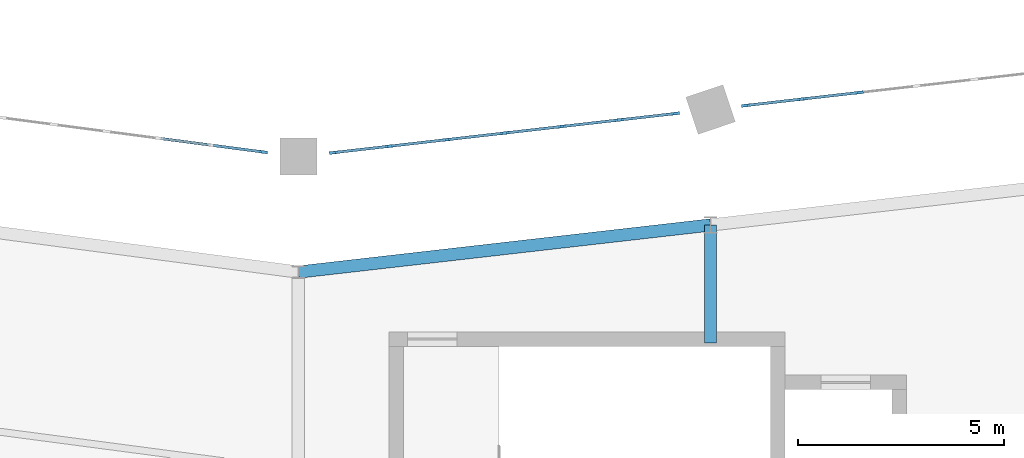
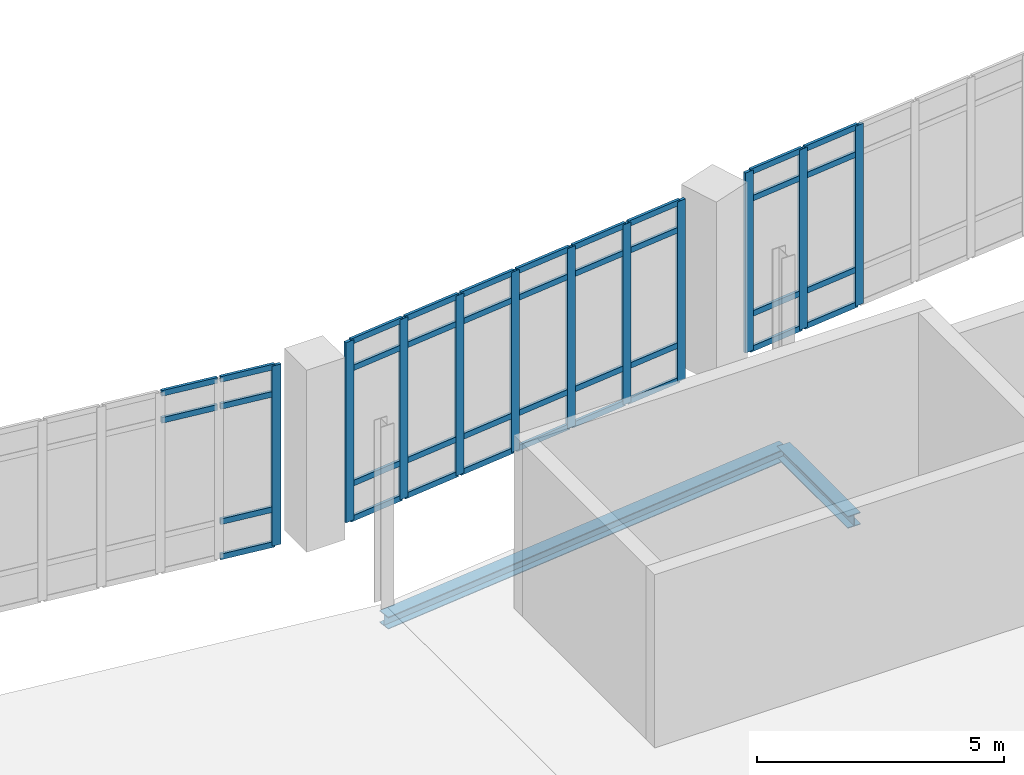
# One storey, part 20 of 67: 49 members, 2 beams, 3 elements without a shape of their own.
"""IFC4 building model written with IfcOpenShell, lengths in metres."""

from ifc_helpers import new_model, si_unit, direction, frame, origin, origin_2d, place, context, subcontext, project, spatial, rectangle, i_section, extrude, material, layer, layer_set, material_profile, profile_set, type_object, element, aggregate, save


model = new_model("IFC4")

# Units and contexts
model_context = context("Model", 3, precision=1e-05, world=origin(), true_north=direction((0.0, 1.0)))
body_context = subcontext(model_context, "Body", "Model", "MODEL_VIEW")
ifc_project = project(units=[si_unit("LENGTHUNIT", "METRE"), si_unit("AREAUNIT", "SQUARE_METRE"), si_unit("VOLUMEUNIT", "CUBIC_METRE"), si_unit("PLANEANGLEUNIT", "RADIAN"), si_unit("MASSUNIT", "GRAM", prefix="KILO")], contexts=[model_context])

# Site, building, storey
site_placement = place(None, origin())
site = spatial("IfcSite", under=ifc_project, at=site_placement, CompositionType="ELEMENT")
building_placement = place(site_placement, origin())
building = spatial("IfcBuilding", under=site, at=building_placement, Name="Sohan Crest Arena", CompositionType="ELEMENT")
storey_placement = place(building_placement, frame((0.0, 0.0, 22.5)))
storey = spatial("IfcBuildingStorey", under=building, at=storey_placement, Name="L05", CompositionType="ELEMENT", Elevation=22.5)

# Curtain wall, member
ifc_material_1 = material(Name="Thermally broken anodised aluminium", Category="aluminium")
ifc_layer = layer(ifc_material_1, 0.18994140625, Name="Thermally broken anodised aluminium")
ifc_layer_set = layer_set([ifc_layer], Name="Thermally broken anodised aluminium")
curtain_wall_type = type_object("IfcCurtainWallType", Name="ARC-CW05", PredefinedType="NOTDEFINED", material=ifc_layer_set)
curtain_wall_1_placement = place(storey_placement, origin())
curtain_wall_1 = element("IfcCurtainWall", 1, at=curtain_wall_1_placement, inside=storey, type_object=curtain_wall_type, Name="Unitised curtain wall CW-186", PredefinedType="NOTDEFINED")
ifc_material_profile_1 = material_profile(ifc_material_1, rectangle(XDim=0.070068359375, YDim=0.199951171875, at=origin_2d()), Name="ALU-MULL 70x200")
ifc_profile_set_1 = profile_set([ifc_material_profile_1], Name="Thermally broken anodised aluminium")
member_type_1 = type_object("IfcMemberType", Name="ARC-CW-ML03", PredefinedType="MULLION", material=ifc_profile_set_1)
member_1_placement = place(storey_placement, frame((97.15234375, 47.111572265625, 0.0), z_axis=(0.0, 0.0, 1.0), x_axis=(0.130498613419, 0.991448491802, 0.0)))
member_1 = element("IfcMember", 2, at=member_1_placement, type_object=member_type_1, Name="CW-186 mullion 6", PredefinedType="MULLION", context=body_context, shape_type="SweptSolid", body=[
    extrude(rectangle(XDim=0.070068359375, YDim=0.199951171875, at=origin_2d()), origin(), (0.0, 0.0, 1.0), 4.449951171875),
])

# Curtain wall, members
curtain_wall_2_placement = place(storey_placement, origin())
curtain_wall_2 = element("IfcCurtainWall", 3, at=curtain_wall_2_placement, inside=storey, type_object=curtain_wall_type, Name="Unitised curtain wall CW-188", PredefinedType="NOTDEFINED")
member_2_placement = place(storey_placement, frame((98.849853515625, 47.096923828125, 0.0), z_axis=(0.0, 0.0, 1.0), x_axis=(-0.11359680696, 0.993526932422, 0.0)))
member_2 = element("IfcMember", 4, at=member_2_placement, type_object=member_type_1, Name="CW-188 mullion 1", PredefinedType="MULLION", context=body_context, shape_type="SweptSolid", body=[
    extrude(rectangle(XDim=0.070068359375, YDim=0.199951171875, at=origin_2d()), origin(), (0.0, 0.0, 1.0), 4.449951171875),
])
member_3_placement = place(storey_placement, frame((100.2099609375, 47.25244140625, 0.0), z_axis=(0.0, 0.0, 1.0), x_axis=(-0.11359680696, 0.993526932422, 0.0)))
member_3 = element("IfcMember", 5, at=member_3_placement, type_object=member_type_1, Name="CW-188 mullion 2", PredefinedType="MULLION", context=body_context, shape_type="SweptSolid", body=[
    extrude(rectangle(XDim=0.070068359375, YDim=0.199951171875, at=origin_2d()), origin(), (0.0, 0.0, 1.0), 4.449951171875),
])
member_4_placement = place(storey_placement, frame((101.60498046875, 47.412109375, 0.0), z_axis=(0.0, 0.0, 1.0), x_axis=(-0.11359680696, 0.993526932422, 0.0)))
member_4 = element("IfcMember", 6, at=member_4_placement, type_object=member_type_1, Name="CW-188 mullion 3", PredefinedType="MULLION", context=body_context, shape_type="SweptSolid", body=[
    extrude(rectangle(XDim=0.070068359375, YDim=0.199951171875, at=origin_2d()), origin(), (0.0, 0.0, 1.0), 4.449951171875),
])
member_5_placement = place(storey_placement, frame((103.0, 47.571533203125, 0.0), z_axis=(0.0, 0.0, 1.0), x_axis=(-0.11359680696, 0.993526932422, 0.0)))
member_5 = element("IfcMember", 7, at=member_5_placement, type_object=member_type_1, Name="CW-188 mullion 4", PredefinedType="MULLION", context=body_context, shape_type="SweptSolid", body=[
    extrude(rectangle(XDim=0.070068359375, YDim=0.199951171875, at=origin_2d()), origin(), (0.0, 0.0, 1.0), 4.449951171875),
])
member_6_placement = place(storey_placement, frame((104.39501953125, 47.73095703125, 0.0), z_axis=(0.0, 0.0, 1.0), x_axis=(-0.11359680696, 0.993526932422, 0.0)))
member_6 = element("IfcMember", 8, at=member_6_placement, type_object=member_type_1, Name="CW-188 mullion 5", PredefinedType="MULLION", context=body_context, shape_type="SweptSolid", body=[
    extrude(rectangle(XDim=0.070068359375, YDim=0.199951171875, at=origin_2d()), origin(), (0.0, 0.0, 1.0), 4.449951171875),
])
member_7_placement = place(storey_placement, frame((105.7900390625, 47.890380859375, 0.0), z_axis=(0.0, 0.0, 1.0), x_axis=(-0.11359680696, 0.993526932422, 0.0)))
member_7 = element("IfcMember", 9, at=member_7_placement, type_object=member_type_1, Name="CW-188 mullion 6", PredefinedType="MULLION", context=body_context, shape_type="SweptSolid", body=[
    extrude(rectangle(XDim=0.070068359375, YDim=0.199951171875, at=origin_2d()), origin(), (0.0, 0.0, 1.0), 4.449951171875),
])
member_8_placement = place(storey_placement, frame((107.150146484375, 48.046142578125, 0.0), z_axis=(0.0, 0.0, 1.0), x_axis=(-0.11359680696, 0.993526932422, 0.0)))
member_8 = element("IfcMember", 10, at=member_8_placement, type_object=member_type_1, Name="CW-188 mullion 7", PredefinedType="MULLION", context=body_context, shape_type="SweptSolid", body=[
    extrude(rectangle(XDim=0.070068359375, YDim=0.199951171875, at=origin_2d()), origin(), (0.0, 0.0, 1.0), 4.449951171875),
])

curtain_wall_3_placement = place(storey_placement, origin())
curtain_wall_3 = element("IfcCurtainWall", 11, at=curtain_wall_3_placement, inside=storey, type_object=curtain_wall_type, Name="Unitised curtain wall CW-190", PredefinedType="NOTDEFINED")
member_9_placement = place(storey_placement, frame((108.849853515625, 48.239990234375, 0.0), z_axis=(0.0, 0.0, 1.0), x_axis=(-0.11359680696, 0.993526932422, 0.0)))
member_9 = element("IfcMember", 12, at=member_9_placement, type_object=member_type_1, Name="CW-190 mullion 1", PredefinedType="MULLION", context=body_context, shape_type="SweptSolid", body=[
    extrude(rectangle(XDim=0.070068359375, YDim=0.199951171875, at=origin_2d()), origin(), (0.0, 0.0, 1.0), 4.449951171875),
])
member_10_placement = place(storey_placement, frame((110.2099609375, 48.3955078125, 0.0), z_axis=(0.0, 0.0, 1.0), x_axis=(-0.11359680696, 0.993526932422, 0.0)))
member_10 = element("IfcMember", 13, at=member_10_placement, type_object=member_type_1, Name="CW-190 mullion 2", PredefinedType="MULLION", context=body_context, shape_type="SweptSolid", body=[
    extrude(rectangle(XDim=0.070068359375, YDim=0.199951171875, at=origin_2d()), origin(), (0.0, 0.0, 1.0), 4.449951171875),
])
member_11_placement = place(storey_placement, frame((111.60498046875, 48.554931640625, 0.0), z_axis=(0.0, 0.0, 1.0), x_axis=(-0.11359680696, 0.993526932422, 0.0)))
member_11 = element("IfcMember", 14, at=member_11_placement, type_object=member_type_1, Name="CW-190 mullion 3", PredefinedType="MULLION", context=body_context, shape_type="SweptSolid", body=[
    extrude(rectangle(XDim=0.070068359375, YDim=0.199951171875, at=origin_2d()), origin(), (0.0, 0.0, 1.0), 4.449951171875),
])

# Member
ifc_material_profile_2 = material_profile(ifc_material_1, rectangle(XDim=0.06494140625, YDim=0.139892578125, at=origin_2d()), Name="ALU-TRAN 65x140")
ifc_profile_set_2 = profile_set([ifc_material_profile_2], Name="Thermally broken anodised aluminium")
member_type_2 = type_object("IfcMemberType", Name="ARC-CW-TR02", PredefinedType="USERDEFINED", material=ifc_profile_set_2)
member_12_placement = place(storey_placement, frame((94.662841796875, 47.439208984375, 3.75), z_axis=(0.991457018973, -0.130433812827, 0.0), x_axis=(0.130433812827, 0.991457018973, 0.0)))
member_12 = element("IfcMember", 15, at=member_12_placement, type_object=member_type_2, Name="CW-186 transom 4.3", ObjectType="TRANSOM", PredefinedType="USERDEFINED", context=body_context, shape_type="SweptSolid", body=[
    extrude(rectangle(XDim=0.06494140625, YDim=0.139892578125, at=origin_2d()), origin(), (0.0, 0.0, 1.0), 1.220458984375),
])

member_13_placement = place(storey_placement, frame((94.662841796875, 47.439208984375, 4.41748046875), z_axis=(0.991457018973, -0.130433812827, 0.0), x_axis=(0.130433812827, 0.991457018973, 0.0)))
member_13 = element("IfcMember", 16, at=member_13_placement, type_object=member_type_2, Name="CW-186 transom 4.4", ObjectType="TRANSOM", PredefinedType="USERDEFINED", context=body_context, shape_type="SweptSolid", body=[
    extrude(rectangle(XDim=0.06494140625, YDim=0.139892578125, at=origin_2d()), origin(), (0.0, 0.0, 1.0), 1.220458984375),
])

member_14_placement = place(storey_placement, frame((95.9423828125, 47.270751953125, 0.032470703125), z_axis=(0.991465507922, -0.130369270153, 0.0), x_axis=(0.130369270153, 0.991465507922, 0.0)))
member_14 = element("IfcMember", 17, at=member_14_placement, type_object=member_type_2, Name="CW-186 transom 5.1", ObjectType="TRANSOM", PredefinedType="USERDEFINED", context=body_context, shape_type="SweptSolid", body=[
    extrude(rectangle(XDim=0.06494140625, YDim=0.139892578125, at=origin_2d()), origin(), (0.0, 0.0, 1.0), 1.185302734375),
])

member_15_placement = place(storey_placement, frame((95.9423828125, 47.270751953125, 0.89990234375), z_axis=(0.991465507922, -0.130369270153, 0.0), x_axis=(0.130369270153, 0.991465507922, 0.0)))
member_15 = element("IfcMember", 18, at=member_15_placement, type_object=member_type_2, Name="CW-186 transom 5.2", ObjectType="TRANSOM", PredefinedType="USERDEFINED", context=body_context, shape_type="SweptSolid", body=[
    extrude(rectangle(XDim=0.06494140625, YDim=0.139892578125, at=origin_2d()), origin(), (0.0, 0.0, 1.0), 1.185302734375),
])

member_16_placement = place(storey_placement, frame((95.9423828125, 47.270751953125, 3.75), z_axis=(0.991465507922, -0.130369270153, 0.0), x_axis=(0.130369270153, 0.991465507922, 0.0)))
member_16 = element("IfcMember", 19, at=member_16_placement, type_object=member_type_2, Name="CW-186 transom 5.3", ObjectType="TRANSOM", PredefinedType="USERDEFINED", context=body_context, shape_type="SweptSolid", body=[
    extrude(rectangle(XDim=0.06494140625, YDim=0.139892578125, at=origin_2d()), origin(), (0.0, 0.0, 1.0), 1.185302734375),
])

member_17_placement = place(storey_placement, frame((95.9423828125, 47.270751953125, 4.41748046875), z_axis=(0.991465507922, -0.130369270153, 0.0), x_axis=(0.130369270153, 0.991465507922, 0.0)))
member_17 = element("IfcMember", 20, at=member_17_placement, type_object=member_type_2, Name="CW-186 transom 5.4", ObjectType="TRANSOM", PredefinedType="USERDEFINED", context=body_context, shape_type="SweptSolid", body=[
    extrude(rectangle(XDim=0.06494140625, YDim=0.139892578125, at=origin_2d()), origin(), (0.0, 0.0, 1.0), 1.185302734375),
])

aggregate(curtain_wall_1, [member_1, member_12, member_13, member_14, member_15, member_16, member_17])

member_18_placement = place(storey_placement, frame((98.884521484375, 47.100830078125, 0.032470703125), z_axis=(0.99351630859, 0.113689685398, 0.0), x_axis=(-0.113689685398, 0.99351630859, 0.0)))
member_18 = element("IfcMember", 21, at=member_18_placement, type_object=member_type_2, Name="CW-188 transom 1.1", ObjectType="TRANSOM", PredefinedType="USERDEFINED", context=body_context, shape_type="SweptSolid", body=[
    extrude(rectangle(XDim=0.06494140625, YDim=0.139892578125, at=origin_2d()), origin(), (0.0, 0.0, 1.0), 1.29931640625),
])

member_19_placement = place(storey_placement, frame((98.884521484375, 47.100830078125, 0.89990234375), z_axis=(0.99351630859, 0.113689685398, 0.0), x_axis=(-0.113689685398, 0.99351630859, 0.0)))
member_19 = element("IfcMember", 22, at=member_19_placement, type_object=member_type_2, Name="CW-188 transom 1.2", ObjectType="TRANSOM", PredefinedType="USERDEFINED", context=body_context, shape_type="SweptSolid", body=[
    extrude(rectangle(XDim=0.06494140625, YDim=0.139892578125, at=origin_2d()), origin(), (0.0, 0.0, 1.0), 1.29931640625),
])

member_20_placement = place(storey_placement, frame((98.884521484375, 47.100830078125, 3.75), z_axis=(0.99351630859, 0.113689685398, 0.0), x_axis=(-0.113689685398, 0.99351630859, 0.0)))
member_20 = element("IfcMember", 23, at=member_20_placement, type_object=member_type_2, Name="CW-188 transom 1.3", ObjectType="TRANSOM", PredefinedType="USERDEFINED", context=body_context, shape_type="SweptSolid", body=[
    extrude(rectangle(XDim=0.06494140625, YDim=0.139892578125, at=origin_2d()), origin(), (0.0, 0.0, 1.0), 1.29931640625),
])

member_21_placement = place(storey_placement, frame((98.884521484375, 47.100830078125, 4.41748046875), z_axis=(0.99351630859, 0.113689685398, 0.0), x_axis=(-0.113689685398, 0.99351630859, 0.0)))
member_21 = element("IfcMember", 24, at=member_21_placement, type_object=member_type_2, Name="CW-188 transom 1.4", ObjectType="TRANSOM", PredefinedType="USERDEFINED", context=body_context, shape_type="SweptSolid", body=[
    extrude(rectangle(XDim=0.06494140625, YDim=0.139892578125, at=origin_2d()), origin(), (0.0, 0.0, 1.0), 1.29931640625),
])

member_22_placement = place(storey_placement, frame((100.244873046875, 47.256591796875, 0.032470703125), z_axis=(0.993542107108, 0.113464009285, 0.0), x_axis=(-0.113464009285, 0.993542107108, 0.0)))
member_22 = element("IfcMember", 25, at=member_22_placement, type_object=member_type_2, Name="CW-188 transom 2.1", ObjectType="TRANSOM", PredefinedType="USERDEFINED", context=body_context, shape_type="SweptSolid", body=[
    extrude(rectangle(XDim=0.06494140625, YDim=0.139892578125, at=origin_2d()), origin(), (0.0, 0.0, 1.0), 1.333984375),
])

member_23_placement = place(storey_placement, frame((100.244873046875, 47.256591796875, 0.89990234375), z_axis=(0.993542107108, 0.113464009285, 0.0), x_axis=(-0.113464009285, 0.993542107108, 0.0)))
member_23 = element("IfcMember", 26, at=member_23_placement, type_object=member_type_2, Name="CW-188 transom 2.2", ObjectType="TRANSOM", PredefinedType="USERDEFINED", context=body_context, shape_type="SweptSolid", body=[
    extrude(rectangle(XDim=0.06494140625, YDim=0.139892578125, at=origin_2d()), origin(), (0.0, 0.0, 1.0), 1.333984375),
])

member_24_placement = place(storey_placement, frame((100.244873046875, 47.256591796875, 3.75), z_axis=(0.993542107108, 0.113464009285, 0.0), x_axis=(-0.113464009285, 0.993542107108, 0.0)))
member_24 = element("IfcMember", 27, at=member_24_placement, type_object=member_type_2, Name="CW-188 transom 2.3", ObjectType="TRANSOM", PredefinedType="USERDEFINED", context=body_context, shape_type="SweptSolid", body=[
    extrude(rectangle(XDim=0.06494140625, YDim=0.139892578125, at=origin_2d()), origin(), (0.0, 0.0, 1.0), 1.333984375),
])

member_25_placement = place(storey_placement, frame((100.244873046875, 47.256591796875, 4.41748046875), z_axis=(0.993542107108, 0.113464009285, 0.0), x_axis=(-0.113464009285, 0.993542107108, 0.0)))
member_25 = element("IfcMember", 28, at=member_25_placement, type_object=member_type_2, Name="CW-188 transom 2.4", ObjectType="TRANSOM", PredefinedType="USERDEFINED", context=body_context, shape_type="SweptSolid", body=[
    extrude(rectangle(XDim=0.06494140625, YDim=0.139892578125, at=origin_2d()), origin(), (0.0, 0.0, 1.0), 1.333984375),
])

member_26_placement = place(storey_placement, frame((101.639892578125, 47.416015625, 0.032470703125), z_axis=(0.993521460563, 0.113644654082, 0.0), x_axis=(-0.113644654082, 0.993521460563, 0.0)))
member_26 = element("IfcMember", 29, at=member_26_placement, type_object=member_type_2, Name="CW-188 transom 3.1", ObjectType="TRANSOM", PredefinedType="USERDEFINED", context=body_context, shape_type="SweptSolid", body=[
    extrude(rectangle(XDim=0.06494140625, YDim=0.139892578125, at=origin_2d()), origin(), (0.0, 0.0, 1.0), 1.333984375),
])

member_27_placement = place(storey_placement, frame((101.639892578125, 47.416015625, 0.89990234375), z_axis=(0.993521460563, 0.113644654082, 0.0), x_axis=(-0.113644654082, 0.993521460563, 0.0)))
member_27 = element("IfcMember", 30, at=member_27_placement, type_object=member_type_2, Name="CW-188 transom 3.2", ObjectType="TRANSOM", PredefinedType="USERDEFINED", context=body_context, shape_type="SweptSolid", body=[
    extrude(rectangle(XDim=0.06494140625, YDim=0.139892578125, at=origin_2d()), origin(), (0.0, 0.0, 1.0), 1.333984375),
])

member_28_placement = place(storey_placement, frame((101.639892578125, 47.416015625, 3.75), z_axis=(0.993521460563, 0.113644654082, 0.0), x_axis=(-0.113644654082, 0.993521460563, 0.0)))
member_28 = element("IfcMember", 31, at=member_28_placement, type_object=member_type_2, Name="CW-188 transom 3.3", ObjectType="TRANSOM", PredefinedType="USERDEFINED", context=body_context, shape_type="SweptSolid", body=[
    extrude(rectangle(XDim=0.06494140625, YDim=0.139892578125, at=origin_2d()), origin(), (0.0, 0.0, 1.0), 1.333984375),
])

member_29_placement = place(storey_placement, frame((101.639892578125, 47.416015625, 4.41748046875), z_axis=(0.993521460563, 0.113644654082, 0.0), x_axis=(-0.113644654082, 0.993521460563, 0.0)))
member_29 = element("IfcMember", 32, at=member_29_placement, type_object=member_type_2, Name="CW-188 transom 3.4", ObjectType="TRANSOM", PredefinedType="USERDEFINED", context=body_context, shape_type="SweptSolid", body=[
    extrude(rectangle(XDim=0.06494140625, YDim=0.139892578125, at=origin_2d()), origin(), (0.0, 0.0, 1.0), 1.333984375),
])

member_30_placement = place(storey_placement, frame((103.03466796875, 47.575439453125, 0.032470703125), z_axis=(0.993521460563, 0.113644654082, 0.0), x_axis=(-0.113644654082, 0.993521460563, 0.0)))
member_30 = element("IfcMember", 33, at=member_30_placement, type_object=member_type_2, Name="CW-188 transom 4.1", ObjectType="TRANSOM", PredefinedType="USERDEFINED", context=body_context, shape_type="SweptSolid", body=[
    extrude(rectangle(XDim=0.06494140625, YDim=0.139892578125, at=origin_2d()), origin(), (0.0, 0.0, 1.0), 1.333984375),
])

member_31_placement = place(storey_placement, frame((103.03466796875, 47.575439453125, 0.89990234375), z_axis=(0.993521460563, 0.113644654082, 0.0), x_axis=(-0.113644654082, 0.993521460563, 0.0)))
member_31 = element("IfcMember", 34, at=member_31_placement, type_object=member_type_2, Name="CW-188 transom 4.2", ObjectType="TRANSOM", PredefinedType="USERDEFINED", context=body_context, shape_type="SweptSolid", body=[
    extrude(rectangle(XDim=0.06494140625, YDim=0.139892578125, at=origin_2d()), origin(), (0.0, 0.0, 1.0), 1.333984375),
])

member_32_placement = place(storey_placement, frame((103.03466796875, 47.575439453125, 3.75), z_axis=(0.993521460563, 0.113644654082, 0.0), x_axis=(-0.113644654082, 0.993521460563, 0.0)))
member_32 = element("IfcMember", 35, at=member_32_placement, type_object=member_type_2, Name="CW-188 transom 4.3", ObjectType="TRANSOM", PredefinedType="USERDEFINED", context=body_context, shape_type="SweptSolid", body=[
    extrude(rectangle(XDim=0.06494140625, YDim=0.139892578125, at=origin_2d()), origin(), (0.0, 0.0, 1.0), 1.333984375),
])

member_33_placement = place(storey_placement, frame((103.03466796875, 47.575439453125, 4.41748046875), z_axis=(0.993521460563, 0.113644654082, 0.0), x_axis=(-0.113644654082, 0.993521460563, 0.0)))
member_33 = element("IfcMember", 36, at=member_33_placement, type_object=member_type_2, Name="CW-188 transom 4.4", ObjectType="TRANSOM", PredefinedType="USERDEFINED", context=body_context, shape_type="SweptSolid", body=[
    extrude(rectangle(XDim=0.06494140625, YDim=0.139892578125, at=origin_2d()), origin(), (0.0, 0.0, 1.0), 1.333984375),
])

member_34_placement = place(storey_placement, frame((104.4296875, 47.73486328125, 0.032470703125), z_axis=(0.993521460563, 0.113644654082, 0.0), x_axis=(-0.113644654082, 0.993521460563, 0.0)))
member_34 = element("IfcMember", 37, at=member_34_placement, type_object=member_type_2, Name="CW-188 transom 5.1", ObjectType="TRANSOM", PredefinedType="USERDEFINED", context=body_context, shape_type="SweptSolid", body=[
    extrude(rectangle(XDim=0.06494140625, YDim=0.139892578125, at=origin_2d()), origin(), (0.0, 0.0, 1.0), 1.333984375),
])

member_35_placement = place(storey_placement, frame((104.4296875, 47.73486328125, 0.89990234375), z_axis=(0.993521460563, 0.113644654082, 0.0), x_axis=(-0.113644654082, 0.993521460563, 0.0)))
member_35 = element("IfcMember", 38, at=member_35_placement, type_object=member_type_2, Name="CW-188 transom 5.2", ObjectType="TRANSOM", PredefinedType="USERDEFINED", context=body_context, shape_type="SweptSolid", body=[
    extrude(rectangle(XDim=0.06494140625, YDim=0.139892578125, at=origin_2d()), origin(), (0.0, 0.0, 1.0), 1.333984375),
])

member_36_placement = place(storey_placement, frame((104.4296875, 47.73486328125, 3.75), z_axis=(0.993521460563, 0.113644654082, 0.0), x_axis=(-0.113644654082, 0.993521460563, 0.0)))
member_36 = element("IfcMember", 39, at=member_36_placement, type_object=member_type_2, Name="CW-188 transom 5.3", ObjectType="TRANSOM", PredefinedType="USERDEFINED", context=body_context, shape_type="SweptSolid", body=[
    extrude(rectangle(XDim=0.06494140625, YDim=0.139892578125, at=origin_2d()), origin(), (0.0, 0.0, 1.0), 1.333984375),
])

member_37_placement = place(storey_placement, frame((104.4296875, 47.73486328125, 4.41748046875), z_axis=(0.993521460563, 0.113644654082, 0.0), x_axis=(-0.113644654082, 0.993521460563, 0.0)))
member_37 = element("IfcMember", 40, at=member_37_placement, type_object=member_type_2, Name="CW-188 transom 5.4", ObjectType="TRANSOM", PredefinedType="USERDEFINED", context=body_context, shape_type="SweptSolid", body=[
    extrude(rectangle(XDim=0.06494140625, YDim=0.139892578125, at=origin_2d()), origin(), (0.0, 0.0, 1.0), 1.333984375),
])

member_38_placement = place(storey_placement, frame((105.82470703125, 47.89453125, 0.032470703125), z_axis=(0.993537517414, 0.113504191511, 0.0), x_axis=(-0.113504191511, 0.993537517414, 0.0)))
member_38 = element("IfcMember", 41, at=member_38_placement, type_object=member_type_2, Name="CW-188 transom 6.1", ObjectType="TRANSOM", PredefinedType="USERDEFINED", context=body_context, shape_type="SweptSolid", body=[
    extrude(rectangle(XDim=0.06494140625, YDim=0.139892578125, at=origin_2d()), origin(), (0.0, 0.0, 1.0), 1.299072265625),
])

member_39_placement = place(storey_placement, frame((105.82470703125, 47.89453125, 0.89990234375), z_axis=(0.993537517414, 0.113504191511, 0.0), x_axis=(-0.113504191511, 0.993537517414, 0.0)))
member_39 = element("IfcMember", 42, at=member_39_placement, type_object=member_type_2, Name="CW-188 transom 6.2", ObjectType="TRANSOM", PredefinedType="USERDEFINED", context=body_context, shape_type="SweptSolid", body=[
    extrude(rectangle(XDim=0.06494140625, YDim=0.139892578125, at=origin_2d()), origin(), (0.0, 0.0, 1.0), 1.299072265625),
])

member_40_placement = place(storey_placement, frame((105.82470703125, 47.89453125, 3.75), z_axis=(0.993537517414, 0.113504191511, 0.0), x_axis=(-0.113504191511, 0.993537517414, 0.0)))
member_40 = element("IfcMember", 43, at=member_40_placement, type_object=member_type_2, Name="CW-188 transom 6.3", ObjectType="TRANSOM", PredefinedType="USERDEFINED", context=body_context, shape_type="SweptSolid", body=[
    extrude(rectangle(XDim=0.06494140625, YDim=0.139892578125, at=origin_2d()), origin(), (0.0, 0.0, 1.0), 1.299072265625),
])

member_41_placement = place(storey_placement, frame((105.82470703125, 47.89453125, 4.41748046875), z_axis=(0.993537517414, 0.113504191511, 0.0), x_axis=(-0.113504191511, 0.993537517414, 0.0)))
member_41 = element("IfcMember", 44, at=member_41_placement, type_object=member_type_2, Name="CW-188 transom 6.4", ObjectType="TRANSOM", PredefinedType="USERDEFINED", context=body_context, shape_type="SweptSolid", body=[
    extrude(rectangle(XDim=0.06494140625, YDim=0.139892578125, at=origin_2d()), origin(), (0.0, 0.0, 1.0), 1.299072265625),
])

aggregate(curtain_wall_2, [member_2, member_3, member_4, member_5, member_6, member_7, member_8, member_18, member_19, member_20, member_21, member_22, member_23, member_24, member_25, member_26, member_27, member_28, member_29, member_30, member_31, member_32, member_33, member_34, member_35, member_36, member_37, member_38, member_39, member_40, member_41])

member_42_placement = place(storey_placement, frame((108.884521484375, 48.243896484375, 0.032470703125), z_axis=(0.99351630859, 0.113689685398, 0.0), x_axis=(-0.113689685398, 0.99351630859, 0.0)))
member_42 = element("IfcMember", 45, at=member_42_placement, type_object=member_type_2, Name="CW-190 transom 1.1", ObjectType="TRANSOM", PredefinedType="USERDEFINED", context=body_context, shape_type="SweptSolid", body=[
    extrude(rectangle(XDim=0.06494140625, YDim=0.139892578125, at=origin_2d()), origin(), (0.0, 0.0, 1.0), 1.29931640625),
])

member_43_placement = place(storey_placement, frame((108.884521484375, 48.243896484375, 0.89990234375), z_axis=(0.99351630859, 0.113689685398, 0.0), x_axis=(-0.113689685398, 0.99351630859, 0.0)))
member_43 = element("IfcMember", 46, at=member_43_placement, type_object=member_type_2, Name="CW-190 transom 1.2", ObjectType="TRANSOM", PredefinedType="USERDEFINED", context=body_context, shape_type="SweptSolid", body=[
    extrude(rectangle(XDim=0.06494140625, YDim=0.139892578125, at=origin_2d()), origin(), (0.0, 0.0, 1.0), 1.29931640625),
])

member_44_placement = place(storey_placement, frame((108.884521484375, 48.243896484375, 3.75), z_axis=(0.99351630859, 0.113689685398, 0.0), x_axis=(-0.113689685398, 0.99351630859, 0.0)))
member_44 = element("IfcMember", 47, at=member_44_placement, type_object=member_type_2, Name="CW-190 transom 1.3", ObjectType="TRANSOM", PredefinedType="USERDEFINED", context=body_context, shape_type="SweptSolid", body=[
    extrude(rectangle(XDim=0.06494140625, YDim=0.139892578125, at=origin_2d()), origin(), (0.0, 0.0, 1.0), 1.29931640625),
])

member_45_placement = place(storey_placement, frame((108.884521484375, 48.243896484375, 4.41748046875), z_axis=(0.99351630859, 0.113689685398, 0.0), x_axis=(-0.113689685398, 0.99351630859, 0.0)))
member_45 = element("IfcMember", 48, at=member_45_placement, type_object=member_type_2, Name="CW-190 transom 1.4", ObjectType="TRANSOM", PredefinedType="USERDEFINED", context=body_context, shape_type="SweptSolid", body=[
    extrude(rectangle(XDim=0.06494140625, YDim=0.139892578125, at=origin_2d()), origin(), (0.0, 0.0, 1.0), 1.29931640625),
])

member_46_placement = place(storey_placement, frame((110.244873046875, 48.3994140625, 0.032470703125), z_axis=(0.993521460563, 0.113644654082, 0.0), x_axis=(-0.113644654082, 0.993521460563, 0.0)))
member_46 = element("IfcMember", 49, at=member_46_placement, type_object=member_type_2, Name="CW-190 transom 2.1", ObjectType="TRANSOM", PredefinedType="USERDEFINED", context=body_context, shape_type="SweptSolid", body=[
    extrude(rectangle(XDim=0.06494140625, YDim=0.139892578125, at=origin_2d()), origin(), (0.0, 0.0, 1.0), 1.333984375),
])

member_47_placement = place(storey_placement, frame((110.244873046875, 48.3994140625, 0.89990234375), z_axis=(0.993521460563, 0.113644654082, 0.0), x_axis=(-0.113644654082, 0.993521460563, 0.0)))
member_47 = element("IfcMember", 50, at=member_47_placement, type_object=member_type_2, Name="CW-190 transom 2.2", ObjectType="TRANSOM", PredefinedType="USERDEFINED", context=body_context, shape_type="SweptSolid", body=[
    extrude(rectangle(XDim=0.06494140625, YDim=0.139892578125, at=origin_2d()), origin(), (0.0, 0.0, 1.0), 1.333984375),
])

member_48_placement = place(storey_placement, frame((110.244873046875, 48.3994140625, 3.75), z_axis=(0.993521460563, 0.113644654082, 0.0), x_axis=(-0.113644654082, 0.993521460563, 0.0)))
member_48 = element("IfcMember", 51, at=member_48_placement, type_object=member_type_2, Name="CW-190 transom 2.3", ObjectType="TRANSOM", PredefinedType="USERDEFINED", context=body_context, shape_type="SweptSolid", body=[
    extrude(rectangle(XDim=0.06494140625, YDim=0.139892578125, at=origin_2d()), origin(), (0.0, 0.0, 1.0), 1.333984375),
])

member_49_placement = place(storey_placement, frame((110.244873046875, 48.3994140625, 4.41748046875), z_axis=(0.993521460563, 0.113644654082, 0.0), x_axis=(-0.113644654082, 0.993521460563, 0.0)))
member_49 = element("IfcMember", 52, at=member_49_placement, type_object=member_type_2, Name="CW-190 transom 2.4", ObjectType="TRANSOM", PredefinedType="USERDEFINED", context=body_context, shape_type="SweptSolid", body=[
    extrude(rectangle(XDim=0.06494140625, YDim=0.139892578125, at=origin_2d()), origin(), (0.0, 0.0, 1.0), 1.333984375),
])

aggregate(curtain_wall_3, [member_9, member_10, member_11, member_42, member_43, member_44, member_45, member_46, member_47, member_48, member_49])

# Beams
ifc_material_2 = material(Name="Steel S355", Category="steel")
ifc_material_profile_3 = material_profile(ifc_material_2, i_section(OverallWidth=0.300048828125, OverallDepth=0.300048828125, WebThickness=0.010986328125, FlangeThickness=0.01904296875, at=origin_2d()), Name="HEB 300")
ifc_profile_set_3 = profile_set([ifc_material_profile_3], Name="Steel S355")
beam_type = type_object("IfcBeamType", Name="STR-BM-B12", PredefinedType="BEAM", material=ifc_profile_set_3)
beam_1_placement = place(storey_placement, frame((98.0, 44.199951171875, -0.39990234375), z_axis=(0.99353032697, 0.113567114035, 0.0), x_axis=(-0.113567114035, 0.99353032697, 0.0)))
element("IfcBeam", 53, at=beam_1_placement, inside=storey, type_object=beam_type, Name="Structural beam G-L05-1758", PredefinedType="BEAM", context=body_context, shape_type="SweptSolid", body=[
    extrude(i_section(OverallWidth=0.300048828125, OverallDepth=0.300048828125, WebThickness=0.010986328125, FlangeThickness=0.01904296875, at=origin_2d()), origin(), (0.0, 0.0, 1.0), 10.065185546875),
])
beam_2_placement = place(storey_placement, frame((108.0, 45.343017578125, -0.39990234375), z_axis=(0.0, -1.0, 0.0), x_axis=(1.0, 0.0, 0.0)))
element("IfcBeam", 54, at=beam_2_placement, inside=storey, type_object=beam_type, Name="Structural beam G-L05-1761", PredefinedType="BEAM", context=body_context, shape_type="SweptSolid", body=[
    extrude(i_section(OverallWidth=0.300048828125, OverallDepth=0.300048828125, WebThickness=0.010986328125, FlangeThickness=0.01904296875, at=origin_2d()), origin(), (0.0, 0.0, 1.0), 2.863037109375),
])

save(model, "model.ifc")
